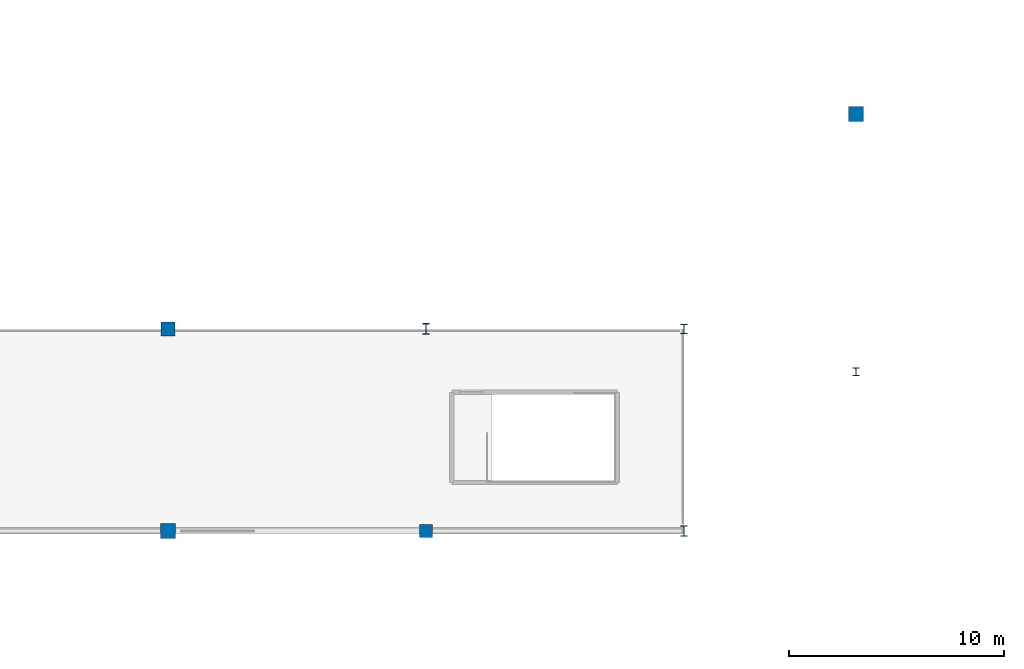
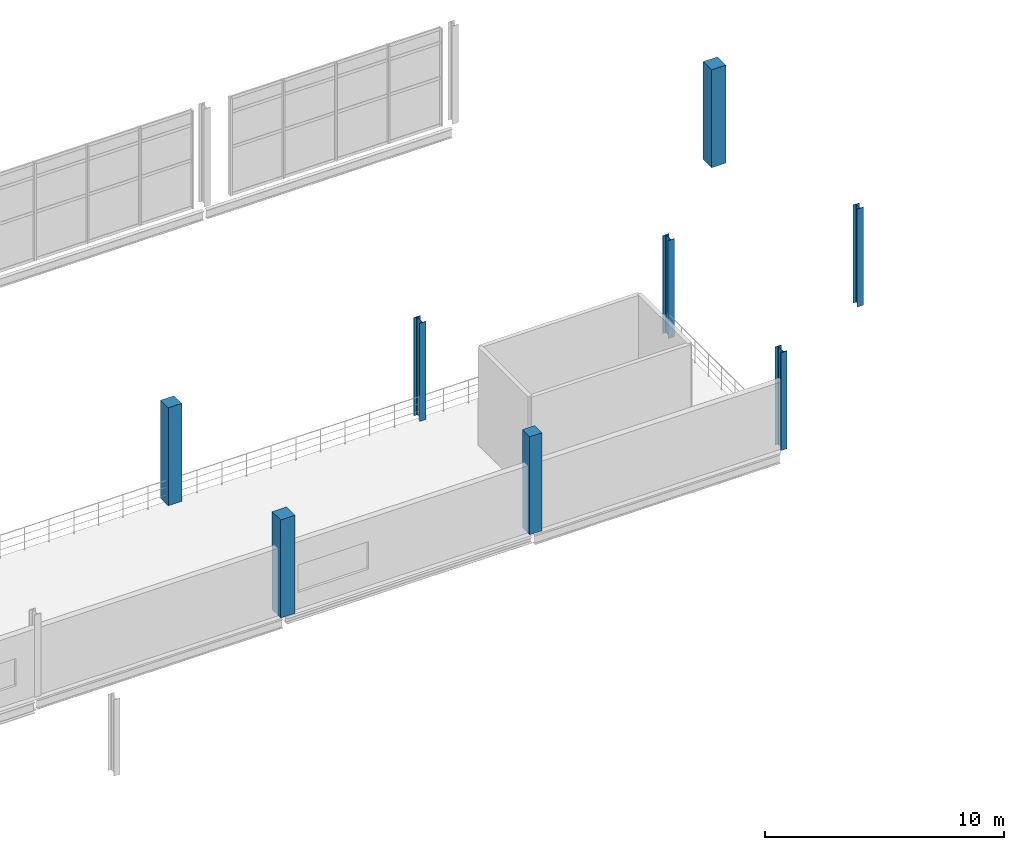
# One storey, part 21 of 89: 8 columns.
"""IFC4 building model written with IfcOpenShell, lengths in metres."""

from ifc_helpers import new_model, si_unit, direction, frame, origin, origin_2d, place, context, subcontext, project, spatial, rectangle, i_section, extrude, material, material_profile, profile_set, type_object, element, save


model = new_model("IFC4")

# Units and contexts
model_context = context("Model", 3, precision=1e-05, world=origin(), true_north=direction((0.0, 1.0)))
body_context = subcontext(model_context, "Body", "Model", "MODEL_VIEW")
ifc_project = project(units=[si_unit("LENGTHUNIT", "METRE"), si_unit("AREAUNIT", "SQUARE_METRE"), si_unit("VOLUMEUNIT", "CUBIC_METRE"), si_unit("PLANEANGLEUNIT", "RADIAN"), si_unit("MASSUNIT", "GRAM", prefix="KILO"), si_unit("THERMODYNAMICTEMPERATUREUNIT", "KELVIN"), si_unit("POWERUNIT", "WATT")], contexts=[model_context])

# Site, building, storey
site_placement = place(None, origin())
site = spatial("IfcSite", under=ifc_project, at=site_placement, CompositionType="ELEMENT")
building_placement = place(site_placement, origin())
building = spatial("IfcBuilding", under=site, at=building_placement, Name="Solmara Park Aquatics Centre", CompositionType="ELEMENT")
storey_placement = place(building_placement, frame((0.0, 0.0, 5.39990234375)))
storey = spatial("IfcBuildingStorey", under=building, at=storey_placement, Name="L01", CompositionType="ELEMENT", Elevation=5.39990234375)

# Columns
ifc_material_1 = material(Name="Structural Steel S355", Category="steel")
ifc_material_profile_1 = material_profile(ifc_material_1, i_section(OverallWidth=0.300048828125, OverallDepth=0.449951171875, WebThickness=0.013916015625, FlangeThickness=0.02587890625, FilletRadius=0.027099609375, at=origin_2d()), Name="HEB 450")
ifc_profile_set_1 = profile_set([ifc_material_profile_1], Name="Structural Steel S355")
column_type_1 = type_object("IfcColumnType", Name="STR-COL-HEB450", PredefinedType="COLUMN", material=ifc_profile_set_1)
column_1_placement = place(storey_placement, frame((156.0, 118.0, 0.0), z_axis=(0.0, 0.0, 1.0), x_axis=(1.0, 0.0, 0.0)))
element("IfcColumn", 1, at=column_1_placement, inside=storey, type_object=column_type_1, Name="Column L01-0437", PredefinedType="COLUMN", context=body_context, shape_type="SweptSolid", body=[
    extrude(i_section(OverallWidth=0.300048828125, OverallDepth=0.449951171875, WebThickness=0.013916015625, FlangeThickness=0.02587890625, FilletRadius=0.027099609375, at=origin_2d()), origin(), (0.0, 0.0, 1.0), 5.0),
])
ifc_material_profile_2 = material_profile(ifc_material_1, i_section(OverallWidth=0.300048828125, OverallDepth=0.5, WebThickness=0.014404296875, FlangeThickness=0.028076171875, FilletRadius=0.027099609375, at=origin_2d()), Name="HEB 500")
ifc_profile_set_2 = profile_set([ifc_material_profile_2], Name="Structural Steel S355")
column_type_2 = type_object("IfcColumnType", Name="STR-COL-HEB500", PredefinedType="COLUMN", material=ifc_profile_set_2)
for number, where, z_axis, x_axis, name in (
    (2, (144.0, 118.0, 0.0), (0.0, 0.0, 1.0), (1.0, 0.0, 0.0), "Column L01-0430"),
    (3, (156.0, 108.60009765625, 0.0), (0.0, 0.0, 1.0), (1.0, 0.0, 0.0), "Column L01-0436"),
):
    element("IfcColumn", number, at=place(storey_placement, frame(where, z_axis=z_axis, x_axis=x_axis)), inside=storey, type_object=column_type_2, Name=name, PredefinedType="COLUMN", context=body_context, shape_type="SweptSolid", body=[
        extrude(i_section(OverallWidth=0.300048828125, OverallDepth=0.5, WebThickness=0.014404296875, FlangeThickness=0.028076171875, FilletRadius=0.027099609375, at=origin_2d()), origin(), (0.0, 0.0, 1.0), 5.0),
    ])
ifc_material_2 = material(Name="Concrete C40/50", Category="concrete")
ifc_material_profile_3 = material_profile(ifc_material_2, rectangle(XDim=0.60009765625, YDim=0.60009765625, at=origin_2d()), Name="RC 600x600")
ifc_profile_set_3 = profile_set([ifc_material_profile_3], Name="Concrete C40/50")
column_type_3 = type_object("IfcColumnType", Name="STR-COL-RC600", PredefinedType="COLUMN", material=ifc_profile_set_3)
column_2_placement = place(storey_placement, frame((144.0, 108.60009765625, 0.0), z_axis=(0.0, 0.0, 1.0), x_axis=(1.0, 0.0, 0.0)))
element("IfcColumn", 4, at=column_2_placement, inside=storey, type_object=column_type_3, Name="Column L01-0429", PredefinedType="COLUMN", context=body_context, shape_type="SweptSolid", body=[
    extrude(rectangle(XDim=0.60009765625, YDim=0.60009765625, at=origin_2d()), origin(), (0.0, 0.0, 1.0), 5.0),
])
ifc_material_profile_4 = material_profile(ifc_material_2, rectangle(XDim=0.64990234375, YDim=0.64990234375, at=origin_2d()), Name="RC 650x650")
ifc_profile_set_4 = profile_set([ifc_material_profile_4], Name="Concrete C40/50")
column_type_4 = type_object("IfcColumnType", Name="STR-COL-RC650", PredefinedType="COLUMN", material=ifc_profile_set_4)
column_3_placement = place(storey_placement, frame((132.0, 118.0, 0.0), z_axis=(0.0, 0.0, 1.0), x_axis=(1.0, 0.0, 0.0)))
element("IfcColumn", 5, at=column_3_placement, inside=storey, type_object=column_type_4, Name="Column L01-0422", PredefinedType="COLUMN", context=body_context, shape_type="SweptSolid", body=[
    extrude(rectangle(XDim=0.64990234375, YDim=0.64990234375, at=origin_2d()), origin(), (0.0, 0.0, 1.0), 5.0),
])
ifc_material_profile_5 = material_profile(ifc_material_2, rectangle(XDim=0.699951171875, YDim=0.699951171875, at=origin_2d()), Name="RC 700x700")
ifc_profile_set_5 = profile_set([ifc_material_profile_5], Name="Concrete C40/50")
column_type_5 = type_object("IfcColumnType", Name="STR-COL-RC700", PredefinedType="COLUMN", material=ifc_profile_set_5)
for number, where, z_axis, x_axis, name in (
    (6, (132.0, 108.60009765625, 0.0), (0.0, 0.0, 1.0), (1.0, 0.0, 0.0), "Column L01-0421"),
    (7, (164.0, 128.0, 0.0), (0.0, 0.0, 1.0), (1.0, 0.0, 0.0), "Column L01-0445"),
):
    element("IfcColumn", number, at=place(storey_placement, frame(where, z_axis=z_axis, x_axis=x_axis)), inside=storey, type_object=column_type_5, Name=name, PredefinedType="COLUMN", context=body_context, shape_type="SweptSolid", body=[
        extrude(rectangle(XDim=0.699951171875, YDim=0.699951171875, at=origin_2d()), origin(), (0.0, 0.0, 1.0), 5.0),
    ])
ifc_material_profile_6 = material_profile(ifc_material_1, i_section(OverallWidth=0.300048828125, OverallDepth=0.360107421875, WebThickness=0.012451171875, FlangeThickness=0.0224609375, FilletRadius=0.027099609375, at=origin_2d()), Name="HEB 360")
ifc_profile_set_6 = profile_set([ifc_material_profile_6], Name="Structural Steel S355")
column_type_6 = type_object("IfcColumnType", Name="STR-PIL-HEB360", PredefinedType="PILASTER", material=ifc_profile_set_6)
column_4_placement = place(storey_placement, frame((164.0, 116.0, 0.0), z_axis=(0.0, 0.0, 1.0), x_axis=(1.0, 0.0, 0.0)))
element("IfcColumn", 8, at=column_4_placement, inside=storey, type_object=column_type_6, Name="Column L01-0444", PredefinedType="PILASTER", context=body_context, shape_type="SweptSolid", body=[
    extrude(i_section(OverallWidth=0.300048828125, OverallDepth=0.360107421875, WebThickness=0.012451171875, FlangeThickness=0.0224609375, FilletRadius=0.027099609375, at=origin_2d()), origin(), (0.0, 0.0, 1.0), 5.0),
])

save(model, "model.ifc")
